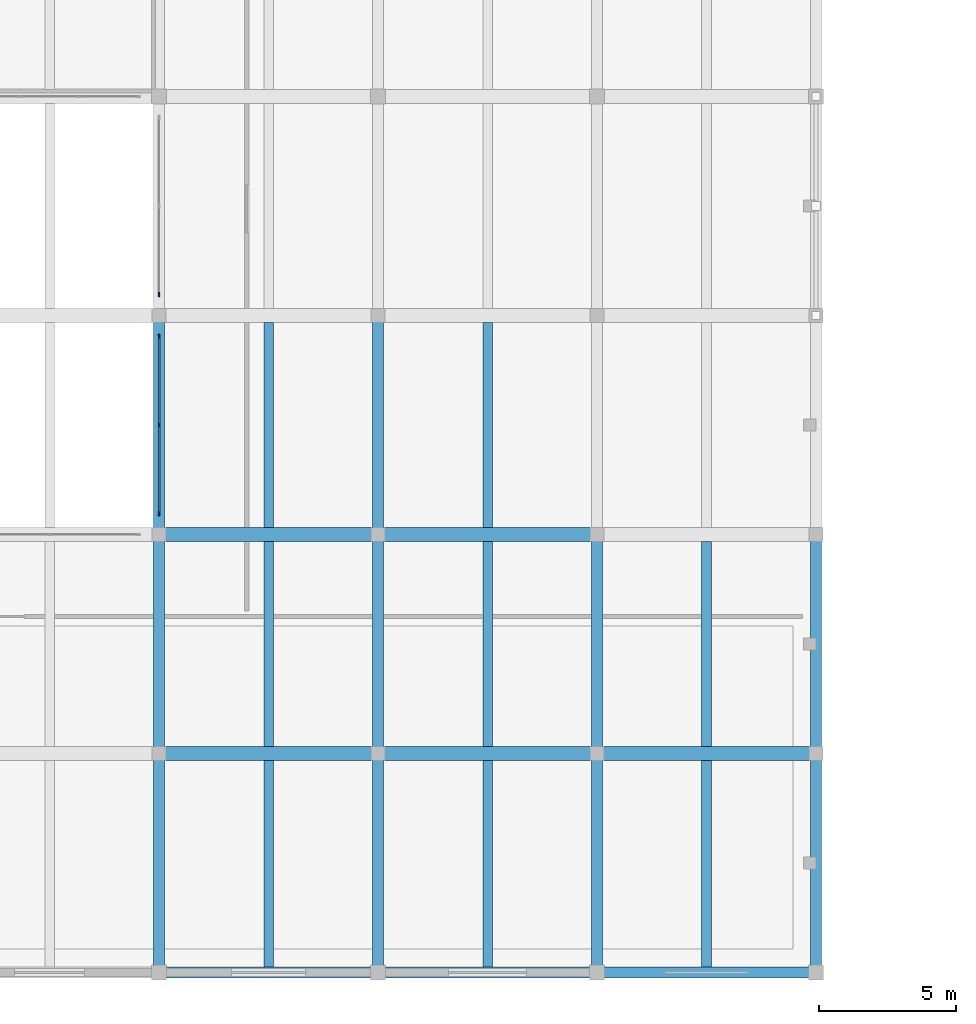
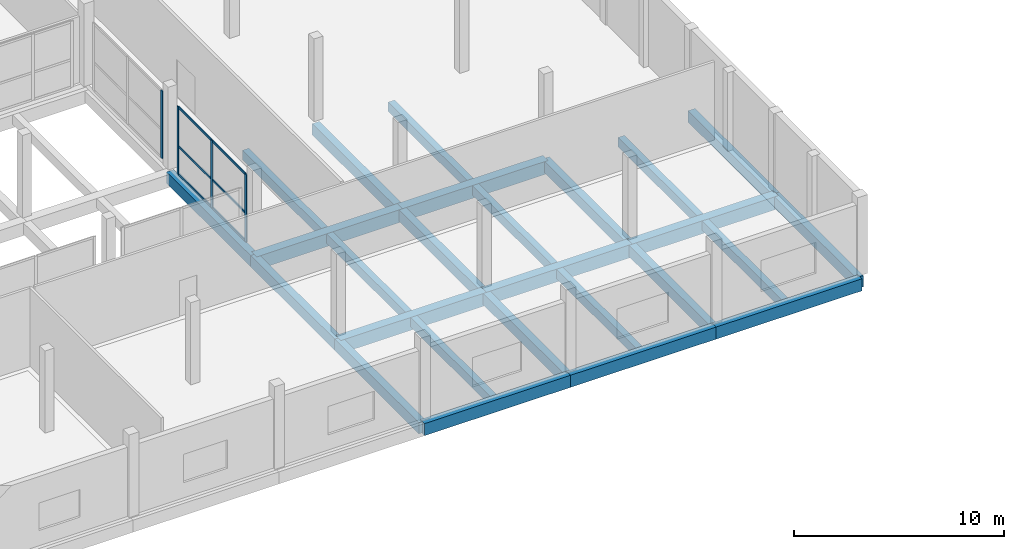
# One storey, part 6 of 47: 26 beams, 10 members, 2 elements without a shape of their own.
"""IFC4 building model written with IfcOpenShell, lengths in metres."""

from ifc_helpers import new_model, si_unit, direction, frame, origin, origin_2d, place, context, subcontext, project, spatial, rectangle, extrude, material, material_profile, profile_set, type_object, element, aggregate, save


model = new_model("IFC4")

# Units and contexts
model_context = context("Model", 3, precision=1e-05, world=origin(), true_north=direction((0.0, 1.0)))
body_context = subcontext(model_context, "Body", "Model", "MODEL_VIEW")
ifc_project = project(units=[si_unit("LENGTHUNIT", "METRE"), si_unit("AREAUNIT", "SQUARE_METRE"), si_unit("VOLUMEUNIT", "CUBIC_METRE"), si_unit("PLANEANGLEUNIT", "RADIAN"), si_unit("MASSUNIT", "GRAM", prefix="KILO")], contexts=[model_context])

# Site, building, storey
site_placement = place(None, origin())
site = spatial("IfcSite", under=ifc_project, at=site_placement, CompositionType="ELEMENT")
building_placement = place(site_placement, origin())
building = spatial("IfcBuilding", under=site, at=building_placement, Name="Vharandega Faculty of Natural Sciences", CompositionType="ELEMENT")
storey_placement = place(building_placement, frame((0.0, 0.0, 5.39990234375)))
storey = spatial("IfcBuildingStorey", under=building, at=storey_placement, Name="L01", CompositionType="ELEMENT", Elevation=5.39990234375)

# Curtain wall, members
ifc_material_1 = material(Name="Aluminium and solar-control glass curtain wall", Category="aluminium")
curtain_wall_type_1 = type_object("IfcCurtainWallType", Name="Unitised Curtain Wall System CW-17", PredefinedType="NOTDEFINED", material=ifc_material_1)
curtain_wall_1_placement = place(storey_placement, origin())
curtain_wall_1 = element("IfcCurtainWall", 1, at=curtain_wall_1_placement, inside=storey, type_object=curtain_wall_type_1, Name="Curtain Wall CW-L01-128", PredefinedType="NOTDEFINED")
ifc_material_2 = material(Name="Thermally broken aluminium 6063-T6", Category="aluminium")
ifc_material_profile_1 = material_profile(ifc_material_2, rectangle(XDim=0.06005859375, YDim=0.159912109375, at=origin_2d()), Name="ALU 60x160")
ifc_profile_set_1 = profile_set([ifc_material_profile_1], Name="Thermally broken aluminium 6063-T6")
member_type_1 = type_object("IfcMemberType", Name="CW Mullion 60x160", PredefinedType="MULLION", material=ifc_profile_set_1)
member_1_placement = place(storey_placement, frame((32.0, 16.77001953125, 0.0), z_axis=(0.0, 0.0, 1.0), x_axis=(-1.0, 0.0, 0.0)))
member_1 = element("IfcMember", 2, at=member_1_placement, type_object=member_type_1, Name="CW-17 mullion 1", PredefinedType="MULLION", context=body_context, shape_type="SweptSolid", body=[
    extrude(rectangle(XDim=0.06005859375, YDim=0.159912109375, at=origin_2d()), origin(), (0.0, 0.0, 1.0), 3.920166015625),
])
member_2_placement = place(storey_placement, frame((32.0, 20.0, 0.0), z_axis=(0.0, 0.0, 1.0), x_axis=(-1.0, 0.0, 0.0)))
member_2 = element("IfcMember", 3, at=member_2_placement, type_object=member_type_1, Name="CW-17 mullion 2", PredefinedType="MULLION", context=body_context, shape_type="SweptSolid", body=[
    extrude(rectangle(XDim=0.06005859375, YDim=0.159912109375, at=origin_2d()), origin(), (0.0, 0.0, 1.0), 3.920166015625),
])
member_3_placement = place(storey_placement, frame((32.0, 23.22998046875, 0.0), z_axis=(0.0, 0.0, 1.0), x_axis=(-1.0, 0.0, 0.0)))
member_3 = element("IfcMember", 4, at=member_3_placement, type_object=member_type_1, Name="CW-17 mullion 3", PredefinedType="MULLION", context=body_context, shape_type="SweptSolid", body=[
    extrude(rectangle(XDim=0.06005859375, YDim=0.159912109375, at=origin_2d()), origin(), (0.0, 0.0, 1.0), 3.920166015625),
])

# Curtain wall, member
ifc_material_3 = material(Name="Aluminium and solar-control glass curtain wall", Category="aluminium")
curtain_wall_type_2 = type_object("IfcCurtainWallType", Name="Unitised Curtain Wall System CW-19", PredefinedType="NOTDEFINED", material=ifc_material_3)
curtain_wall_2_placement = place(storey_placement, origin())
curtain_wall_2 = element("IfcCurtainWall", 5, at=curtain_wall_2_placement, inside=storey, type_object=curtain_wall_type_2, Name="Curtain Wall CW-L01-130", PredefinedType="NOTDEFINED")
member_4_placement = place(storey_placement, frame((32.0, 24.77001953125, 0.0), z_axis=(0.0, 0.0, 1.0), x_axis=(-1.0, 0.0, 0.0)))
member_4 = element("IfcMember", 6, at=member_4_placement, type_object=member_type_1, Name="CW-19 mullion 1", PredefinedType="MULLION", context=body_context, shape_type="SweptSolid", body=[
    extrude(rectangle(XDim=0.06005859375, YDim=0.159912109375, at=origin_2d()), origin(), (0.0, 0.0, 1.0), 3.920166015625),
])
aggregate(curtain_wall_2, [member_4])

# Member
ifc_material_4 = material(Name="Thermally broken aluminium 6063-T6", Category="aluminium")
ifc_material_profile_2 = material_profile(ifc_material_4, rectangle(XDim=0.06005859375, YDim=0.1201171875, at=origin_2d()), Name="ALU 60x120")
ifc_profile_set_2 = profile_set([ifc_material_profile_2], Name="Thermally broken aluminium 6063-T6")
member_type_2 = type_object("IfcMemberType", Name="CW Transom 60x120", PredefinedType="USERDEFINED", material=ifc_profile_set_2)
member_5_placement = place(storey_placement, frame((32.0, 16.800048828125, 0.030029296875), z_axis=(0.0, 1.0, 0.0), x_axis=(-1.0, 0.0, 0.0)))
member_5 = element("IfcMember", 7, at=member_5_placement, type_object=member_type_2, Name="CW-17 transom 1.1", ObjectType="TRANSOM", PredefinedType="USERDEFINED", context=body_context, shape_type="SweptSolid", body=[
    extrude(rectangle(XDim=0.06005859375, YDim=0.1201171875, at=origin_2d()), origin(), (0.0, 0.0, 1.0), 3.169921875),
])

member_6_placement = place(storey_placement, frame((32.0, 16.800048828125, 1.646484375), z_axis=(0.0, 1.0, 0.0), x_axis=(-1.0, 0.0, 0.0)))
member_6 = element("IfcMember", 8, at=member_6_placement, type_object=member_type_2, Name="CW-17 transom 1.2", ObjectType="TRANSOM", PredefinedType="USERDEFINED", context=body_context, shape_type="SweptSolid", body=[
    extrude(rectangle(XDim=0.06005859375, YDim=0.1201171875, at=origin_2d()), origin(), (0.0, 0.0, 1.0), 3.169921875),
])

member_7_placement = place(storey_placement, frame((32.0, 16.800048828125, 3.89013671875), z_axis=(0.0, 1.0, 0.0), x_axis=(-1.0, 0.0, 0.0)))
member_7 = element("IfcMember", 9, at=member_7_placement, type_object=member_type_2, Name="CW-17 transom 1.3", ObjectType="TRANSOM", PredefinedType="USERDEFINED", context=body_context, shape_type="SweptSolid", body=[
    extrude(rectangle(XDim=0.06005859375, YDim=0.1201171875, at=origin_2d()), origin(), (0.0, 0.0, 1.0), 3.169921875),
])

member_8_placement = place(storey_placement, frame((32.0, 20.030029296875, 0.030029296875), z_axis=(0.0, 1.0, 0.0), x_axis=(-1.0, 0.0, 0.0)))
member_8 = element("IfcMember", 10, at=member_8_placement, type_object=member_type_2, Name="CW-17 transom 2.1", ObjectType="TRANSOM", PredefinedType="USERDEFINED", context=body_context, shape_type="SweptSolid", body=[
    extrude(rectangle(XDim=0.06005859375, YDim=0.1201171875, at=origin_2d()), origin(), (0.0, 0.0, 1.0), 3.169921875),
])

member_9_placement = place(storey_placement, frame((32.0, 20.030029296875, 1.646484375), z_axis=(0.0, 1.0, 0.0), x_axis=(-1.0, 0.0, 0.0)))
member_9 = element("IfcMember", 11, at=member_9_placement, type_object=member_type_2, Name="CW-17 transom 2.2", ObjectType="TRANSOM", PredefinedType="USERDEFINED", context=body_context, shape_type="SweptSolid", body=[
    extrude(rectangle(XDim=0.06005859375, YDim=0.1201171875, at=origin_2d()), origin(), (0.0, 0.0, 1.0), 3.169921875),
])

member_10_placement = place(storey_placement, frame((32.0, 20.030029296875, 3.89013671875), z_axis=(0.0, 1.0, 0.0), x_axis=(-1.0, 0.0, 0.0)))
member_10 = element("IfcMember", 12, at=member_10_placement, type_object=member_type_2, Name="CW-17 transom 2.3", ObjectType="TRANSOM", PredefinedType="USERDEFINED", context=body_context, shape_type="SweptSolid", body=[
    extrude(rectangle(XDim=0.06005859375, YDim=0.1201171875, at=origin_2d()), origin(), (0.0, 0.0, 1.0), 3.169921875),
])

aggregate(curtain_wall_1, [member_1, member_2, member_3, member_5, member_6, member_7, member_8, member_9, member_10])

# Beams
ifc_material_5 = material(Name="Concrete C40/50", Category="concrete")
ifc_material_profile_3 = material_profile(ifc_material_5, rectangle(XDim=0.39990234375, YDim=0.64990234375, at=origin_2d()), Name="RC 400x650")
ifc_profile_set_3 = profile_set([ifc_material_profile_3], Name="Concrete C40/50")
beam_type_1 = type_object("IfcBeamType", Name="Podium Floor Beam 400x650", PredefinedType="BEAM", material=ifc_profile_set_3)
for number, where, z_axis, x_axis, name in (
    (13, (32.0, 0.0, -0.60498046875), (0.0, 1.0, 0.0), (-1.0, 0.0, 0.0), "Beam L01 5/A-B"),
    (14, (32.0, 8.0, -0.60498046875), (0.0, 1.0, 0.0), (-1.0, 0.0, 0.0), "Beam L01 5/B-C"),
    (15, (32.0, 16.0, -0.60498046875), (0.0, 1.0, 0.0), (-1.0, 0.0, 0.0), "Beam L01 5/C-D"),
    (16, (40.0, 0.0, -0.60498046875), (0.0, 1.0, 0.0), (-1.0, 0.0, 0.0), "Beam L01 6/A-B"),
    (17, (40.0, 8.0, -0.60498046875), (0.0, 1.0, 0.0), (-1.0, 0.0, 0.0), "Beam L01 6/B-C"),
    (18, (40.0, 16.0, -0.60498046875), (0.0, 1.0, 0.0), (-1.0, 0.0, 0.0), "Beam L01 6/C-D"),
    (19, (48.0, 0.0, -0.60498046875), (0.0, 1.0, 0.0), (-1.0, 0.0, 0.0), "Beam L01 7/A-B"),
    (20, (48.0, 8.0, -0.60498046875), (0.0, 1.0, 0.0), (-1.0, 0.0, 0.0), "Beam L01 7/B-C"),
    (21, (56.0, 0.0, -0.60498046875), (0.0, 1.0, 0.0), (-1.0, 0.0, 0.0), "Beam L01 8/A-B"),
    (22, (56.0, 8.0, -0.60498046875), (0.0, 1.0, 0.0), (-1.0, 0.0, 0.0), "Beam L01 8/B-C"),
):
    element("IfcBeam", number, at=place(storey_placement, frame(where, z_axis=z_axis, x_axis=x_axis)), inside=storey, type_object=beam_type_1, Name=name, PredefinedType="BEAM", context=body_context, shape_type="SweptSolid", body=[
        extrude(rectangle(XDim=0.39990234375, YDim=0.64990234375, at=origin_2d()), origin(), (0.0, 0.0, 1.0), 8.0),
    ])
ifc_material_6 = material(Name="Concrete C40/50", Category="concrete")
ifc_material_profile_4 = material_profile(ifc_material_6, rectangle(XDim=0.5, YDim=0.75, at=origin_2d()), Name="RC 500x750")
ifc_profile_set_4 = profile_set([ifc_material_profile_4], Name="Concrete C40/50")
beam_type_2 = type_object("IfcBeamType", Name="Podium Primary Beam 500x750", PredefinedType="BEAM", material=ifc_profile_set_4)
for number, where, z_axis, x_axis, name in (
    (23, (32.0, 8.0, -0.65478515625), (1.0, 0.0, 0.0), (0.0, 1.0, 0.0), "Beam L01 B/5-6"),
    (24, (40.0, 8.0, -0.65478515625), (1.0, 0.0, 0.0), (0.0, 1.0, 0.0), "Beam L01 B/6-7"),
    (25, (48.0, 8.0, -0.65478515625), (1.0, 0.0, 0.0), (0.0, 1.0, 0.0), "Beam L01 B/7-8"),
    (26, (32.0, 16.0, -0.65478515625), (1.0, 0.0, 0.0), (0.0, 1.0, 0.0), "Beam L01 C/5-6"),
    (27, (40.0, 16.0, -0.65478515625), (1.0, 0.0, 0.0), (0.0, 1.0, 0.0), "Beam L01 C/6-7"),
):
    element("IfcBeam", number, at=place(storey_placement, frame(where, z_axis=z_axis, x_axis=x_axis)), inside=storey, type_object=beam_type_2, Name=name, PredefinedType="BEAM", context=body_context, shape_type="SweptSolid", body=[
        extrude(rectangle(XDim=0.5, YDim=0.75, at=origin_2d()), origin(), (0.0, 0.0, 1.0), 8.0),
    ])
ifc_material_7 = material(Name="Concrete C40/50", Category="concrete")
ifc_material_profile_5 = material_profile(ifc_material_7, rectangle(XDim=0.35009765625, YDim=0.550048828125, at=origin_2d()), Name="RC 350x550")
ifc_profile_set_5 = profile_set([ifc_material_profile_5], Name="Concrete C40/50")
beam_type_3 = type_object("IfcBeamType", Name="Podium Secondary Beam 350x550", PredefinedType="JOIST", material=ifc_profile_set_5)
beam_1_placement = place(storey_placement, frame((36.0, 0.199951171875, -0.554931640625), z_axis=(0.0, 1.0, 0.0), x_axis=(-1.0, 0.0, 0.0)))
element("IfcBeam", 28, at=beam_1_placement, inside=storey, type_object=beam_type_3, Name="Secondary Joist L01 5-6/A-B", PredefinedType="JOIST", context=body_context, shape_type="SweptSolid", body=[
    extrude(rectangle(XDim=0.35009765625, YDim=0.550048828125, at=origin_2d()), origin(), (0.0, 0.0, 1.0), 7.550048828125),
])
for number, where, z_axis, x_axis, name in (
    (29, (36.0, 8.25, -0.554931640625), (0.0, 1.0, 0.0), (-1.0, 0.0, 0.0), "Secondary Joist L01 5-6/B-C"),
    (30, (36.0, 16.25, -0.554931640625), (0.0, 1.0, 0.0), (-1.0, 0.0, 0.0), "Secondary Joist L01 5-6/C-D"),
):
    element("IfcBeam", number, at=place(storey_placement, frame(where, z_axis=z_axis, x_axis=x_axis)), inside=storey, type_object=beam_type_3, Name=name, PredefinedType="JOIST", context=body_context, shape_type="SweptSolid", body=[
        extrude(rectangle(XDim=0.35009765625, YDim=0.550048828125, at=origin_2d()), origin(), (0.0, 0.0, 1.0), 7.5),
    ])
beam_2_placement = place(storey_placement, frame((44.0, 0.199951171875, -0.554931640625), z_axis=(0.0, 1.0, 0.0), x_axis=(-1.0, 0.0, 0.0)))
element("IfcBeam", 31, at=beam_2_placement, inside=storey, type_object=beam_type_3, Name="Secondary Joist L01 6-7/A-B", PredefinedType="JOIST", context=body_context, shape_type="SweptSolid", body=[
    extrude(rectangle(XDim=0.35009765625, YDim=0.550048828125, at=origin_2d()), origin(), (0.0, 0.0, 1.0), 7.550048828125),
])
for number, where, z_axis, x_axis, name in (
    (32, (44.0, 8.25, -0.554931640625), (0.0, 1.0, 0.0), (-1.0, 0.0, 0.0), "Secondary Joist L01 6-7/B-C"),
    (33, (44.0, 16.25, -0.554931640625), (0.0, 1.0, 0.0), (-1.0, 0.0, 0.0), "Secondary Joist L01 6-7/C-D"),
):
    element("IfcBeam", number, at=place(storey_placement, frame(where, z_axis=z_axis, x_axis=x_axis)), inside=storey, type_object=beam_type_3, Name=name, PredefinedType="JOIST", context=body_context, shape_type="SweptSolid", body=[
        extrude(rectangle(XDim=0.35009765625, YDim=0.550048828125, at=origin_2d()), origin(), (0.0, 0.0, 1.0), 7.5),
    ])
beam_3_placement = place(storey_placement, frame((52.0, 0.199951171875, -0.554931640625), z_axis=(0.0, 1.0, 0.0), x_axis=(-1.0, 0.0, 0.0)))
element("IfcBeam", 34, at=beam_3_placement, inside=storey, type_object=beam_type_3, Name="Secondary Joist L01 7-8/A-B", PredefinedType="JOIST", context=body_context, shape_type="SweptSolid", body=[
    extrude(rectangle(XDim=0.35009765625, YDim=0.550048828125, at=origin_2d()), origin(), (0.0, 0.0, 1.0), 7.550048828125),
])
beam_4_placement = place(storey_placement, frame((52.0, 8.25, -0.554931640625), z_axis=(0.0, 1.0, 0.0), x_axis=(-1.0, 0.0, 0.0)))
element("IfcBeam", 35, at=beam_4_placement, inside=storey, type_object=beam_type_3, Name="Secondary Joist L01 7-8/B-C", PredefinedType="JOIST", context=body_context, shape_type="SweptSolid", body=[
    extrude(rectangle(XDim=0.35009765625, YDim=0.550048828125, at=origin_2d()), origin(), (0.0, 0.0, 1.0), 7.5),
])
ifc_material_8 = material(Name="Concrete C40/50", Category="concrete")
ifc_material_profile_6 = material_profile(ifc_material_8, rectangle(XDim=0.39990234375, YDim=0.699951171875, at=origin_2d()), Name="RC 400x700")
ifc_profile_set_6 = profile_set([ifc_material_profile_6], Name="Concrete C40/50")
beam_type_4 = type_object("IfcBeamType", Name="Podium Spandrel Beam 400x700", PredefinedType="SPANDREL", material=ifc_profile_set_6)
for number, where, z_axis, x_axis, name in (
    (36, (32.0, 0.0, -0.6298828125), (1.0, 0.0, 0.0), (0.0, 1.0, 0.0), "Beam L01 A/5-6"),
    (37, (40.0, 0.0, -0.6298828125), (1.0, 0.0, 0.0), (0.0, 1.0, 0.0), "Beam L01 A/6-7"),
    (38, (48.0, 0.0, -0.6298828125), (1.0, 0.0, 0.0), (0.0, 1.0, 0.0), "Beam L01 A/7-8"),
):
    element("IfcBeam", number, at=place(storey_placement, frame(where, z_axis=z_axis, x_axis=x_axis)), inside=storey, type_object=beam_type_4, Name=name, PredefinedType="SPANDREL", context=body_context, shape_type="SweptSolid", body=[
        extrude(rectangle(XDim=0.39990234375, YDim=0.699951171875, at=origin_2d()), origin(), (0.0, 0.0, 1.0), 8.0),
    ])

save(model, "model.ifc")
